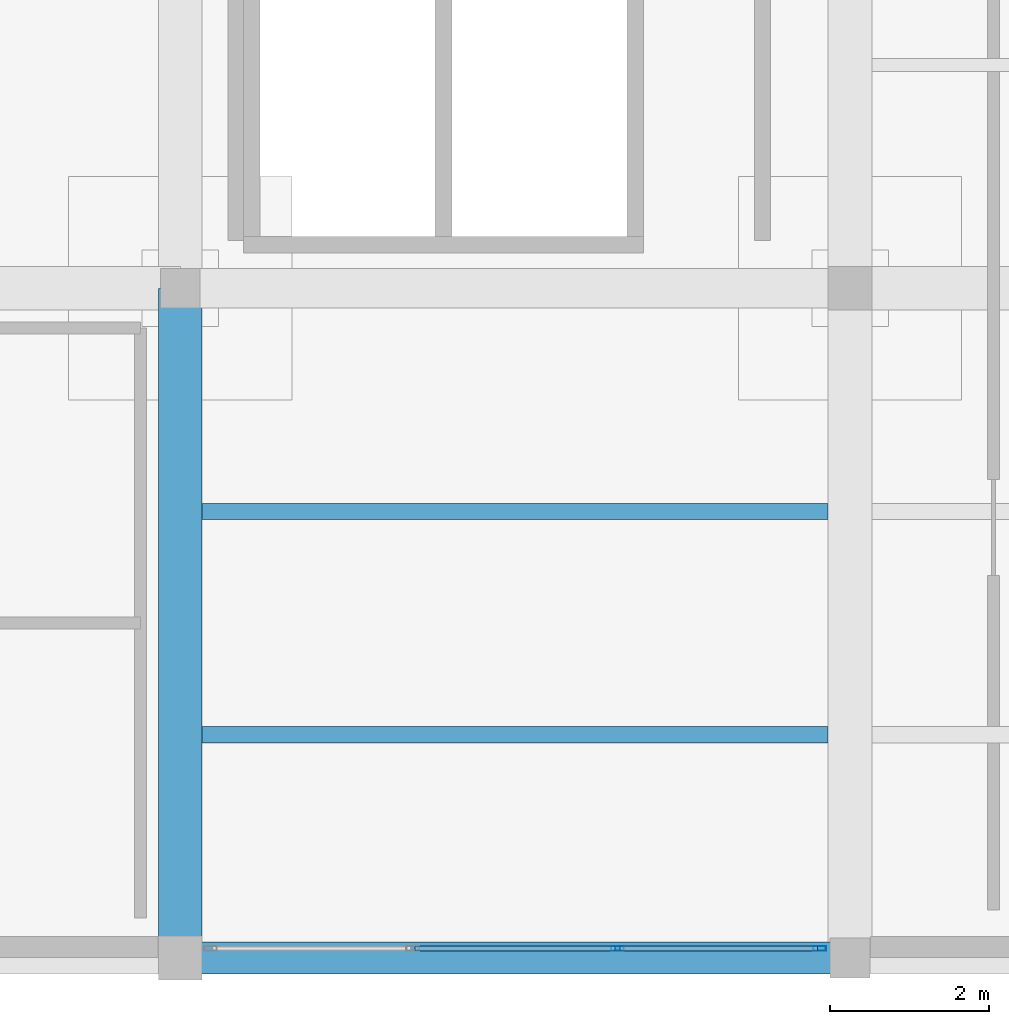
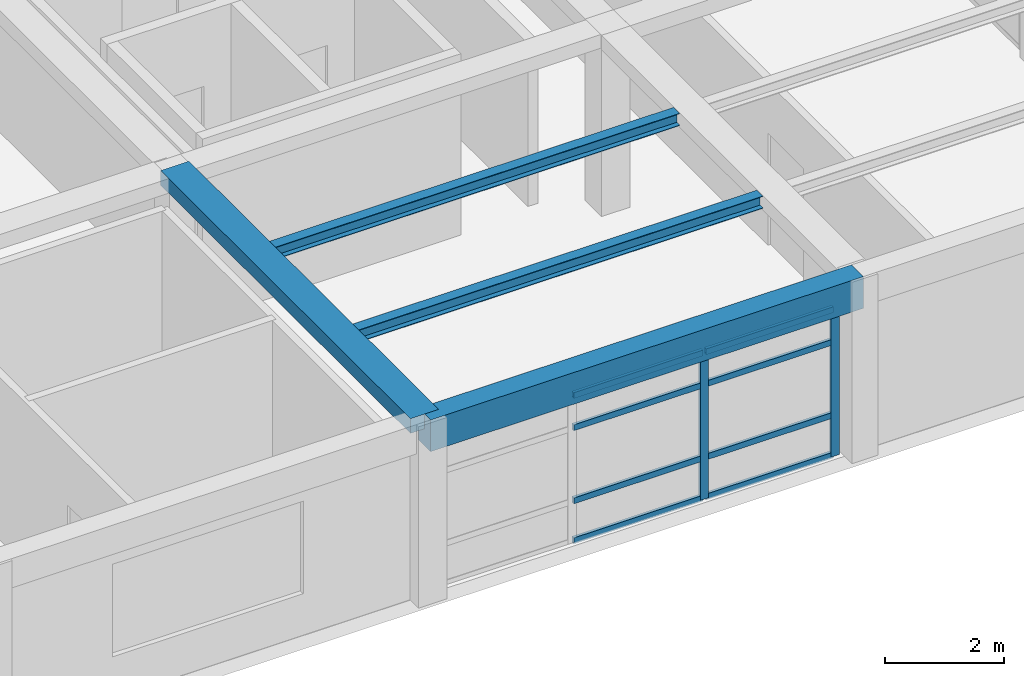
# One storey, part 6 of 22: 10 members, 4 beams, 1 element without a shape of its own.
"""IFC4 building model written with IfcOpenShell, lengths in metres."""

from ifc_helpers import new_model, si_unit, direction, frame, origin, origin_2d, place, context, subcontext, project, spatial, rectangle, hollow_rectangle, i_section, extrude, material, material_profile, profile_set, type_object, element, aggregate, save


model = new_model("IFC4")

# Units and contexts
model_context = context("Model", 3, precision=1e-05, world=origin(), true_north=direction((0.0, 1.0)))
body_context = subcontext(model_context, "Body", "Model", "MODEL_VIEW")
ifc_project = project(units=[si_unit("LENGTHUNIT", "METRE"), si_unit("AREAUNIT", "SQUARE_METRE"), si_unit("VOLUMEUNIT", "CUBIC_METRE"), si_unit("PLANEANGLEUNIT", "RADIAN"), si_unit("MASSUNIT", "GRAM", prefix="KILO")], contexts=[model_context])

# Site, building, storey
site_placement = place(None, origin())
site = spatial("IfcSite", under=ifc_project, at=site_placement, CompositionType="ELEMENT")
building_placement = place(site_placement, origin())
building = spatial("IfcBuilding", under=site, at=building_placement, Name="Almacenes y Pasaje Nevantli", CompositionType="ELEMENT")
storey_placement = place(building_placement, frame((0.0, 0.0, 58.699951171875)))
storey = spatial("IfcBuildingStorey", under=building, at=storey_placement, Name="L14", CompositionType="ELEMENT", Elevation=58.699951171875)

# Beams
ifc_material_1 = material(Name="Concrete C35/45", Category="concrete")
ifc_material_profile_1 = material_profile(ifc_material_1, rectangle(XDim=0.39990234375, YDim=0.64990234375, at=origin_2d()), Name="RC-BM-400x650")
ifc_profile_set_1 = profile_set([ifc_material_profile_1], Name="Concrete C35/45")
beam_type_1 = type_object("IfcBeamType", Name="BM-RC-400x650", PredefinedType="SPANDREL", material=ifc_profile_set_1)
beam_1_placement = place(storey_placement, frame((134.39990234375, 67.199951171875, 3.39501953125), z_axis=(1.0, 0.0, 0.0), x_axis=(0.0, 1.0, 0.0)))
element("IfcBeam", 1, at=beam_1_placement, inside=storey, type_object=beam_type_1, Name="L14 East-West Reinforced Concrete Beam #3987", PredefinedType="SPANDREL", context=body_context, shape_type="SweptSolid", body=[
    extrude(rectangle(XDim=0.39990234375, YDim=0.64990234375, at=origin_2d()), origin(), (0.0, 0.0, 1.0), 8.400146484375),
])
ifc_material_2 = material(Name="Concrete C35/45", Category="concrete")
ifc_material_profile_2 = material_profile(ifc_material_2, rectangle(XDim=0.550048828125, YDim=0.300048828125, at=origin_2d()), Name="RC-BM-550x300")
ifc_profile_set_2 = profile_set([ifc_material_profile_2], Name="Concrete C35/45")
beam_type_2 = type_object("IfcBeamType", Name="BM-RC-550x300", PredefinedType="BEAM", material=ifc_profile_set_2)
beam_2_placement = place(storey_placement, frame((134.39990234375, 67.199951171875, 3.570068359375), z_axis=(0.0, 1.0, 0.0), x_axis=(-1.0, 0.0, 0.0)))
element("IfcBeam", 2, at=beam_2_placement, inside=storey, type_object=beam_type_2, Name="L14 North-South Reinforced Concrete Beam #4006", PredefinedType="BEAM", context=body_context, shape_type="SweptSolid", body=[
    extrude(rectangle(XDim=0.550048828125, YDim=0.300048828125, at=origin_2d()), origin(), (0.0, 0.0, 1.0), 8.400146484375),
])
ifc_material_3 = material(Name="Steel ASTM A992", Category="steel")
ifc_material_profile_3 = material_profile(ifc_material_3, i_section(OverallWidth=0.202880859375, OverallDepth=0.25390625, WebThickness=0.00732421875, FlangeThickness=0.010986328125, at=origin_2d()), Name="IR 254x49.1")
ifc_profile_set_3 = profile_set([ifc_material_profile_3], Name="Steel ASTM A992")
beam_type_3 = type_object("IfcBeamType", Name="BM-STL-IR-254x49p1", PredefinedType="JOIST", material=ifc_profile_set_3)
for number, where, z_axis, x_axis, name in (
    (3, (134.675048828125, 70.0, 3.5849609375), (1.0, 0.0, 0.0), (0.0, 1.0, 0.0), "L14 Secondary Steel Floor Joist #1595"),
    (4, (134.675048828125, 72.800048828125, 3.5849609375), (1.0, 0.0, 0.0), (0.0, 1.0, 0.0), "L14 Secondary Steel Floor Joist #1596"),
):
    element("IfcBeam", number, at=place(storey_placement, frame(where, z_axis=z_axis, x_axis=x_axis)), inside=storey, type_object=beam_type_3, Name=name, PredefinedType="JOIST", context=body_context, shape_type="SweptSolid", body=[
        extrude(i_section(OverallWidth=0.202880859375, OverallDepth=0.25390625, WebThickness=0.00732421875, FlangeThickness=0.010986328125, at=origin_2d()), origin(), (0.0, 0.0, 1.0), 7.849853515625),
    ])

# Curtain wall, members
ifc_material_4 = material(Name="Thermally Broken Aluminium and Low-E Glass", Category="aluminium")
curtain_wall_type = type_object("IfcCurtainWallType", Name="CW-UNIT-TOWER", PredefinedType="USERDEFINED", material=ifc_material_4)
curtain_wall_placement = place(storey_placement, origin())
curtain_wall = element("IfcCurtainWall", 5, at=curtain_wall_placement, inside=storey, type_object=curtain_wall_type, Name="L14 Tower South Unitized Curtain Wall Bay 17", ObjectType="UNITIZED CURTAIN WALL", PredefinedType="USERDEFINED")
ifc_material_5 = material(Name="Thermally Broken Anodized Aluminium", Category="aluminium")
ifc_material_profile_4 = material_profile(ifc_material_5, hollow_rectangle(XDim=0.06005859375, YDim=0.159912109375, WallThickness=0.00390625, at=origin_2d()), Name="ALU-MUL-60x160")
ifc_profile_set_4 = profile_set([ifc_material_profile_4], Name="Thermally Broken Anodized Aluminium")
member_type_1 = type_object("IfcMemberType", Name="CW-MUL-180", PredefinedType="MULLION", material=ifc_profile_set_4)
member_1_placement = place(storey_placement, frame((139.88330078125, 67.320068359375, 0.0), z_axis=(0.0, 0.0, 1.0), x_axis=(0.0, 1.0, 0.0)))
member_1 = element("IfcMember", 6, at=member_1_placement, type_object=member_type_1, Name="CW-L14-179 mullion 3", PredefinedType="MULLION", context=body_context, shape_type="SweptSolid", body=[
    extrude(hollow_rectangle(XDim=0.06005859375, YDim=0.159912109375, WallThickness=0.00390625, at=origin_2d()), origin(), (0.0, 0.0, 1.0), 3.0400390625),
])
member_2_placement = place(storey_placement, frame((142.419921875, 67.320068359375, 0.0), z_axis=(0.0, 0.0, 1.0), x_axis=(0.0, 1.0, 0.0)))
member_2 = element("IfcMember", 7, at=member_2_placement, type_object=member_type_1, Name="CW-L14-179 mullion 4", PredefinedType="MULLION", context=body_context, shape_type="SweptSolid", body=[
    extrude(hollow_rectangle(XDim=0.06005859375, YDim=0.159912109375, WallThickness=0.00390625, at=origin_2d()), origin(), (0.0, 0.0, 1.0), 3.0400390625),
])
ifc_material_6 = material(Name="Thermally Broken Anodized Aluminium", Category="aluminium")
ifc_material_profile_5 = material_profile(ifc_material_6, hollow_rectangle(XDim=0.06005859375, YDim=0.1201171875, WallThickness=0.00341796875, at=origin_2d()), Name="ALU-TRN-60x120")
ifc_profile_set_5 = profile_set([ifc_material_profile_5], Name="Thermally Broken Anodized Aluminium")
member_type_2 = type_object("IfcMemberType", Name="CW-TRN-130", PredefinedType="USERDEFINED", material=ifc_profile_set_5)
member_3_placement = place(storey_placement, frame((137.3466796875, 67.320068359375, 0.030029296875), z_axis=(1.0, 0.0, 0.0), x_axis=(0.0, 1.0, 0.0)))
member_3 = element("IfcMember", 8, at=member_3_placement, type_object=member_type_2, Name="CW-L14-179 transom 2.1", ObjectType="TRANSOM", PredefinedType="USERDEFINED", context=body_context, shape_type="SweptSolid", body=[
    extrude(hollow_rectangle(XDim=0.06005859375, YDim=0.1201171875, WallThickness=0.00341796875, at=origin_2d()), origin(), (0.0, 0.0, 1.0), 2.506591796875),
])
member_4_placement = place(storey_placement, frame((137.3466796875, 67.320068359375, 0.85009765625), z_axis=(1.0, 0.0, 0.0), x_axis=(0.0, 1.0, 0.0)))
member_4 = element("IfcMember", 9, at=member_4_placement, type_object=member_type_2, Name="CW-L14-179 transom 2.2", ObjectType="TRANSOM", PredefinedType="USERDEFINED", context=body_context, shape_type="SweptSolid", body=[
    extrude(hollow_rectangle(XDim=0.06005859375, YDim=0.1201171875, WallThickness=0.00341796875, at=origin_2d()), origin(), (0.0, 0.0, 1.0), 2.506591796875),
])
member_5_placement = place(storey_placement, frame((137.3466796875, 67.320068359375, 2.35009765625), z_axis=(1.0, 0.0, 0.0), x_axis=(0.0, 1.0, 0.0)))
member_5 = element("IfcMember", 10, at=member_5_placement, type_object=member_type_2, Name="CW-L14-179 transom 2.3", ObjectType="TRANSOM", PredefinedType="USERDEFINED", context=body_context, shape_type="SweptSolid", body=[
    extrude(hollow_rectangle(XDim=0.06005859375, YDim=0.1201171875, WallThickness=0.00341796875, at=origin_2d()), origin(), (0.0, 0.0, 1.0), 2.506591796875),
])
member_6_placement = place(storey_placement, frame((137.3466796875, 67.320068359375, 3.010009765625), z_axis=(1.0, 0.0, 0.0), x_axis=(0.0, 1.0, 0.0)))
member_6 = element("IfcMember", 11, at=member_6_placement, type_object=member_type_2, Name="CW-L14-179 transom 2.4", ObjectType="TRANSOM", PredefinedType="USERDEFINED", context=body_context, shape_type="SweptSolid", body=[
    extrude(hollow_rectangle(XDim=0.06005859375, YDim=0.1201171875, WallThickness=0.00341796875, at=origin_2d()), origin(), (0.0, 0.0, 1.0), 2.506591796875),
])
member_7_placement = place(storey_placement, frame((139.913330078125, 67.320068359375, 0.030029296875), z_axis=(1.0, 0.0, 0.0), x_axis=(0.0, 1.0, 0.0)))
member_7 = element("IfcMember", 12, at=member_7_placement, type_object=member_type_2, Name="CW-L14-179 transom 3.1", ObjectType="TRANSOM", PredefinedType="USERDEFINED", context=body_context, shape_type="SweptSolid", body=[
    extrude(hollow_rectangle(XDim=0.06005859375, YDim=0.1201171875, WallThickness=0.00341796875, at=origin_2d()), origin(), (0.0, 0.0, 1.0), 2.4765625),
])
member_8_placement = place(storey_placement, frame((139.913330078125, 67.320068359375, 0.85009765625), z_axis=(1.0, 0.0, 0.0), x_axis=(0.0, 1.0, 0.0)))
member_8 = element("IfcMember", 13, at=member_8_placement, type_object=member_type_2, Name="CW-L14-179 transom 3.2", ObjectType="TRANSOM", PredefinedType="USERDEFINED", context=body_context, shape_type="SweptSolid", body=[
    extrude(hollow_rectangle(XDim=0.06005859375, YDim=0.1201171875, WallThickness=0.00341796875, at=origin_2d()), origin(), (0.0, 0.0, 1.0), 2.4765625),
])
member_9_placement = place(storey_placement, frame((139.913330078125, 67.320068359375, 2.35009765625), z_axis=(1.0, 0.0, 0.0), x_axis=(0.0, 1.0, 0.0)))
member_9 = element("IfcMember", 14, at=member_9_placement, type_object=member_type_2, Name="CW-L14-179 transom 3.3", ObjectType="TRANSOM", PredefinedType="USERDEFINED", context=body_context, shape_type="SweptSolid", body=[
    extrude(hollow_rectangle(XDim=0.06005859375, YDim=0.1201171875, WallThickness=0.00341796875, at=origin_2d()), origin(), (0.0, 0.0, 1.0), 2.4765625),
])
member_10_placement = place(storey_placement, frame((139.913330078125, 67.320068359375, 3.010009765625), z_axis=(1.0, 0.0, 0.0), x_axis=(0.0, 1.0, 0.0)))
member_10 = element("IfcMember", 15, at=member_10_placement, type_object=member_type_2, Name="CW-L14-179 transom 3.4", ObjectType="TRANSOM", PredefinedType="USERDEFINED", context=body_context, shape_type="SweptSolid", body=[
    extrude(hollow_rectangle(XDim=0.06005859375, YDim=0.1201171875, WallThickness=0.00341796875, at=origin_2d()), origin(), (0.0, 0.0, 1.0), 2.4765625),
])
aggregate(curtain_wall, [member_1, member_2, member_3, member_4, member_5, member_6, member_7, member_8, member_9, member_10])

save(model, "model.ifc")
